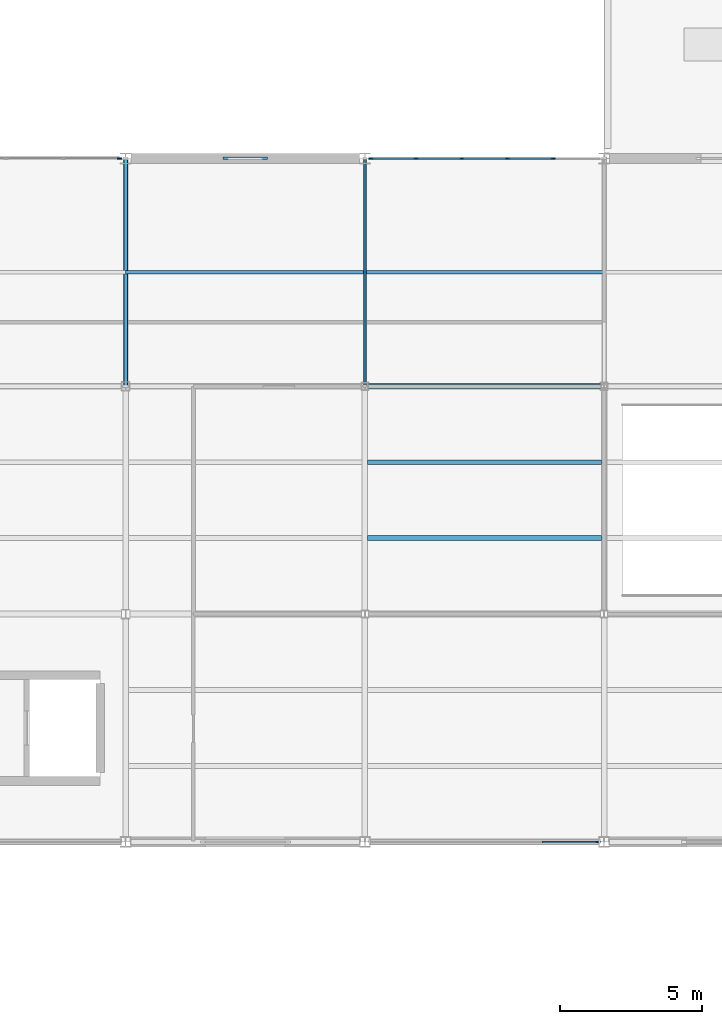
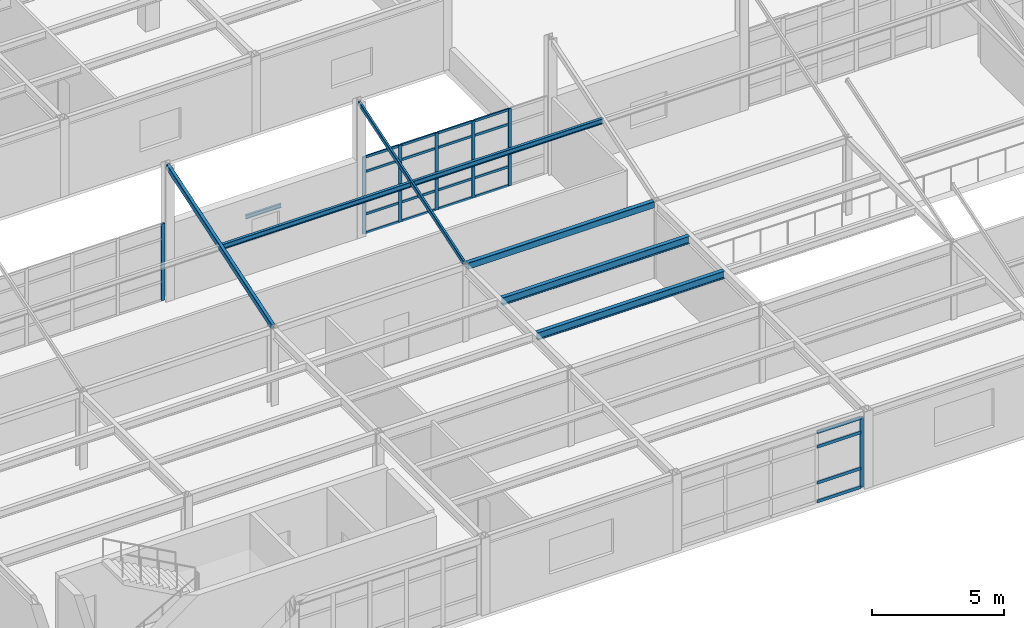
# One storey, part 13 of 96: 31 members, 4 beams, 3 elements without a shape of their own.
"""IFC4 building model written with IfcOpenShell, lengths in metres."""

from ifc_helpers import new_model, si_unit, direction, frame, origin, origin_2d, place, context, subcontext, project, spatial, rectangle, hollow_rectangle, i_section, extrude, material, layer, layer_set, material_profile, profile_set, type_object, element, aggregate, save


model = new_model("IFC4")

# Units and contexts
model_context = context("Model", 3, precision=1e-05, world=origin(), true_north=direction((0.0, 1.0)))
body_context = subcontext(model_context, "Body", "Model", "MODEL_VIEW")
ifc_project = project(units=[si_unit("LENGTHUNIT", "METRE"), si_unit("AREAUNIT", "SQUARE_METRE"), si_unit("VOLUMEUNIT", "CUBIC_METRE"), si_unit("PLANEANGLEUNIT", "RADIAN"), si_unit("MASSUNIT", "GRAM", prefix="KILO")], contexts=[model_context])

# Site, building, storey
site_placement = place(None, origin())
site = spatial("IfcSite", under=ifc_project, at=site_placement, CompositionType="ELEMENT")
building_placement = place(site_placement, origin())
building = spatial("IfcBuilding", under=site, at=building_placement, Name="Kranzveld Transit Interchange", CompositionType="ELEMENT")
storey_placement = place(building_placement, frame((0.0, 0.0, 9.52001953125)))
storey = spatial("IfcBuildingStorey", under=building, at=storey_placement, Name="L02", CompositionType="ELEMENT", Elevation=9.52001953125)

# Curtain wall, member
ifc_material_1 = material(Name="Bronze-anodised thermally broken aluminium", Category="aluminium")
ifc_layer_1 = layer(ifc_material_1, 0.159912109375)
ifc_layer_set_1 = layer_set([ifc_layer_1], Name="Bronze-anodised thermally broken aluminium")
curtain_wall_type_1 = type_object("IfcCurtainWallType", Name="Bus Boarding Glazed Screen CW-3", PredefinedType="USERDEFINED", material=ifc_layer_set_1)
curtain_wall_1_placement = place(storey_placement, origin())
curtain_wall_1 = element("IfcCurtainWall", 1, at=curtain_wall_1_placement, inside=storey, type_object=curtain_wall_type_1, Name="L02 Curtain Wall 02/F-03/F", ObjectType="CURTAIN WALL", PredefinedType="USERDEFINED")
ifc_material_2 = material(Name="Bronze-anodised thermally broken aluminium", Category="aluminium")
ifc_material_profile_1 = material_profile(ifc_material_2, rectangle(XDim=0.06005859375, YDim=0.14990234375, at=origin_2d()), Name="ALU MULLION 60x150")
ifc_profile_set_1 = profile_set([ifc_material_profile_1], Name="Bronze-anodised thermally broken aluminium")
member_type_1 = type_object("IfcMemberType", Name="Curtain Wall Mullion 60x150 Alu", PredefinedType="MULLION", material=ifc_profile_set_1)
member_1_placement = place(storey_placement, frame((16.582763671875, 40.0, 0.0), z_axis=(0.0, 0.0, 1.0), x_axis=(0.0, 1.0, 0.0)))
member_1 = element("IfcMember", 2, at=member_1_placement, type_object=member_type_1, Name="CW-3 mullion 5", PredefinedType="MULLION", context=body_context, shape_type="SweptSolid", body=[
    extrude(rectangle(XDim=0.06005859375, YDim=0.14990234375, at=origin_2d()), origin(), (0.0, 0.0, 1.0), 3.570068359375),
])
aggregate(curtain_wall_1, [member_1])

# Curtain wall, members
ifc_material_3 = material(Name="Bronze-anodised thermally broken aluminium", Category="aluminium")
ifc_layer_2 = layer(ifc_material_3, 0.14990234375)
ifc_layer_set_2 = layer_set([ifc_layer_2], Name="Bronze-anodised thermally broken aluminium")
curtain_wall_type_2 = type_object("IfcCurtainWallType", Name="Public Passage Clerestory Screen CW-4", PredefinedType="USERDEFINED", material=ifc_layer_set_2)
curtain_wall_2_placement = place(storey_placement, origin())
curtain_wall_2 = element("IfcCurtainWall", 3, at=curtain_wall_2_placement, inside=storey, type_object=curtain_wall_type_2, Name="L02 Curtain Wall 04/F-05/F", ObjectType="CURTAIN WALL", PredefinedType="USERDEFINED")
member_2_placement = place(storey_placement, frame((25.417236328125, 40.0, 0.0), z_axis=(0.0, 0.0, 1.0), x_axis=(0.0, 1.0, 0.0)))
member_2 = element("IfcMember", 4, at=member_2_placement, type_object=member_type_1, Name="CW-4 mullion 1", PredefinedType="MULLION", context=body_context, shape_type="SweptSolid", body=[
    extrude(rectangle(XDim=0.06005859375, YDim=0.14990234375, at=origin_2d()), origin(), (0.0, 0.0, 1.0), 3.570068359375),
])
member_3_placement = place(storey_placement, frame((26.992431640625, 40.0, 0.0), z_axis=(0.0, 0.0, 1.0), x_axis=(0.0, 1.0, 0.0)))
member_3 = element("IfcMember", 5, at=member_3_placement, type_object=member_type_1, Name="CW-4 mullion 2", PredefinedType="MULLION", context=body_context, shape_type="SweptSolid", body=[
    extrude(rectangle(XDim=0.06005859375, YDim=0.14990234375, at=origin_2d()), origin(), (0.0, 0.0, 1.0), 3.570068359375),
])
member_4_placement = place(storey_placement, frame((28.597412109375, 40.0, 0.0), z_axis=(0.0, 0.0, 1.0), x_axis=(0.0, 1.0, 0.0)))
member_4 = element("IfcMember", 6, at=member_4_placement, type_object=member_type_1, Name="CW-4 mullion 3", PredefinedType="MULLION", context=body_context, shape_type="SweptSolid", body=[
    extrude(rectangle(XDim=0.06005859375, YDim=0.14990234375, at=origin_2d()), origin(), (0.0, 0.0, 1.0), 3.570068359375),
])
member_5_placement = place(storey_placement, frame((30.20263671875, 40.0, 0.0), z_axis=(0.0, 0.0, 1.0), x_axis=(0.0, 1.0, 0.0)))
member_5 = element("IfcMember", 7, at=member_5_placement, type_object=member_type_1, Name="CW-4 mullion 4", PredefinedType="MULLION", context=body_context, shape_type="SweptSolid", body=[
    extrude(rectangle(XDim=0.06005859375, YDim=0.14990234375, at=origin_2d()), origin(), (0.0, 0.0, 1.0), 3.570068359375),
])
member_6_placement = place(storey_placement, frame((31.8076171875, 40.0, 0.0), z_axis=(0.0, 0.0, 1.0), x_axis=(0.0, 1.0, 0.0)))
member_6 = element("IfcMember", 8, at=member_6_placement, type_object=member_type_1, Name="CW-4 mullion 5", PredefinedType="MULLION", context=body_context, shape_type="SweptSolid", body=[
    extrude(rectangle(XDim=0.06005859375, YDim=0.14990234375, at=origin_2d()), origin(), (0.0, 0.0, 1.0), 3.570068359375),
])

# Curtain wall, member
curtain_wall_3_placement = place(storey_placement, origin())
curtain_wall_3 = element("IfcCurtainWall", 9, at=curtain_wall_3_placement, inside=storey, type_object=curtain_wall_type_1, Name="L02 Curtain Wall 04/C-05/C", ObjectType="CURTAIN WALL", PredefinedType="USERDEFINED")
member_7_placement = place(storey_placement, frame((33.3828125, 16.0, 0.0), z_axis=(0.0, 0.0, 1.0), x_axis=(0.0, 1.0, 0.0)))
member_7 = element("IfcMember", 10, at=member_7_placement, type_object=member_type_1, Name="CW-3 mullion 5", PredefinedType="MULLION", context=body_context, shape_type="SweptSolid", body=[
    extrude(rectangle(XDim=0.06005859375, YDim=0.14990234375, at=origin_2d()), origin(), (0.0, 0.0, 1.0), 3.27001953125),
])

# Member
ifc_material_4 = material(Name="Bronze-anodised thermally broken aluminium", Category="aluminium")
ifc_material_profile_2 = material_profile(ifc_material_4, rectangle(XDim=0.06005859375, YDim=0.110107421875, at=origin_2d()), Name="ALU TRANSOM 60x110")
ifc_profile_set_2 = profile_set([ifc_material_profile_2], Name="Bronze-anodised thermally broken aluminium")
member_type_2 = type_object("IfcMemberType", Name="Curtain Wall Transom 60x110 Alu", PredefinedType="USERDEFINED", material=ifc_profile_set_2)
member_8_placement = place(storey_placement, frame((25.447265625, 40.0, 0.030029296875), z_axis=(1.0, 0.0, 0.0), x_axis=(0.0, 1.0, 0.0)))
member_8 = element("IfcMember", 11, at=member_8_placement, type_object=member_type_2, Name="CW-4 transom 1.1", ObjectType="TRANSOM", PredefinedType="USERDEFINED", context=body_context, shape_type="SweptSolid", body=[
    extrude(rectangle(XDim=0.06005859375, YDim=0.110107421875, at=origin_2d()), origin(), (0.0, 0.0, 1.0), 1.51513671875),
])

member_9_placement = place(storey_placement, frame((25.447265625, 40.0, 0.89990234375), z_axis=(1.0, 0.0, 0.0), x_axis=(0.0, 1.0, 0.0)))
member_9 = element("IfcMember", 12, at=member_9_placement, type_object=member_type_2, Name="CW-4 transom 1.2", ObjectType="TRANSOM", PredefinedType="USERDEFINED", context=body_context, shape_type="SweptSolid", body=[
    extrude(rectangle(XDim=0.06005859375, YDim=0.110107421875, at=origin_2d()), origin(), (0.0, 0.0, 1.0), 1.51513671875),
])

member_10_placement = place(storey_placement, frame((25.447265625, 40.0, 2.869873046875), z_axis=(1.0, 0.0, 0.0), x_axis=(0.0, 1.0, 0.0)))
member_10 = element("IfcMember", 13, at=member_10_placement, type_object=member_type_2, Name="CW-4 transom 1.3", ObjectType="TRANSOM", PredefinedType="USERDEFINED", context=body_context, shape_type="SweptSolid", body=[
    extrude(rectangle(XDim=0.06005859375, YDim=0.110107421875, at=origin_2d()), origin(), (0.0, 0.0, 1.0), 1.51513671875),
])

member_11_placement = place(storey_placement, frame((25.447265625, 40.0, 3.5400390625), z_axis=(1.0, 0.0, 0.0), x_axis=(0.0, 1.0, 0.0)))
member_11 = element("IfcMember", 14, at=member_11_placement, type_object=member_type_2, Name="CW-4 transom 1.4", ObjectType="TRANSOM", PredefinedType="USERDEFINED", context=body_context, shape_type="SweptSolid", body=[
    extrude(rectangle(XDim=0.06005859375, YDim=0.110107421875, at=origin_2d()), origin(), (0.0, 0.0, 1.0), 1.51513671875),
])

member_12_placement = place(storey_placement, frame((27.0224609375, 40.0, 0.030029296875), z_axis=(1.0, 0.0, 0.0), x_axis=(0.0, 1.0, 0.0)))
member_12 = element("IfcMember", 15, at=member_12_placement, type_object=member_type_2, Name="CW-4 transom 2.1", ObjectType="TRANSOM", PredefinedType="USERDEFINED", context=body_context, shape_type="SweptSolid", body=[
    extrude(rectangle(XDim=0.06005859375, YDim=0.110107421875, at=origin_2d()), origin(), (0.0, 0.0, 1.0), 1.544921875),
])

member_13_placement = place(storey_placement, frame((27.0224609375, 40.0, 0.89990234375), z_axis=(1.0, 0.0, 0.0), x_axis=(0.0, 1.0, 0.0)))
member_13 = element("IfcMember", 16, at=member_13_placement, type_object=member_type_2, Name="CW-4 transom 2.2", ObjectType="TRANSOM", PredefinedType="USERDEFINED", context=body_context, shape_type="SweptSolid", body=[
    extrude(rectangle(XDim=0.06005859375, YDim=0.110107421875, at=origin_2d()), origin(), (0.0, 0.0, 1.0), 1.544921875),
])

member_14_placement = place(storey_placement, frame((27.0224609375, 40.0, 2.869873046875), z_axis=(1.0, 0.0, 0.0), x_axis=(0.0, 1.0, 0.0)))
member_14 = element("IfcMember", 17, at=member_14_placement, type_object=member_type_2, Name="CW-4 transom 2.3", ObjectType="TRANSOM", PredefinedType="USERDEFINED", context=body_context, shape_type="SweptSolid", body=[
    extrude(rectangle(XDim=0.06005859375, YDim=0.110107421875, at=origin_2d()), origin(), (0.0, 0.0, 1.0), 1.544921875),
])

member_15_placement = place(storey_placement, frame((27.0224609375, 40.0, 3.5400390625), z_axis=(1.0, 0.0, 0.0), x_axis=(0.0, 1.0, 0.0)))
member_15 = element("IfcMember", 18, at=member_15_placement, type_object=member_type_2, Name="CW-4 transom 2.4", ObjectType="TRANSOM", PredefinedType="USERDEFINED", context=body_context, shape_type="SweptSolid", body=[
    extrude(rectangle(XDim=0.06005859375, YDim=0.110107421875, at=origin_2d()), origin(), (0.0, 0.0, 1.0), 1.544921875),
])

member_16_placement = place(storey_placement, frame((28.62744140625, 40.0, 0.030029296875), z_axis=(1.0, 0.0, 0.0), x_axis=(0.0, 1.0, 0.0)))
member_16 = element("IfcMember", 19, at=member_16_placement, type_object=member_type_2, Name="CW-4 transom 3.1", ObjectType="TRANSOM", PredefinedType="USERDEFINED", context=body_context, shape_type="SweptSolid", body=[
    extrude(rectangle(XDim=0.06005859375, YDim=0.110107421875, at=origin_2d()), origin(), (0.0, 0.0, 1.0), 1.545166015625),
])

member_17_placement = place(storey_placement, frame((28.62744140625, 40.0, 0.89990234375), z_axis=(1.0, 0.0, 0.0), x_axis=(0.0, 1.0, 0.0)))
member_17 = element("IfcMember", 20, at=member_17_placement, type_object=member_type_2, Name="CW-4 transom 3.2", ObjectType="TRANSOM", PredefinedType="USERDEFINED", context=body_context, shape_type="SweptSolid", body=[
    extrude(rectangle(XDim=0.06005859375, YDim=0.110107421875, at=origin_2d()), origin(), (0.0, 0.0, 1.0), 1.545166015625),
])

member_18_placement = place(storey_placement, frame((28.62744140625, 40.0, 2.869873046875), z_axis=(1.0, 0.0, 0.0), x_axis=(0.0, 1.0, 0.0)))
member_18 = element("IfcMember", 21, at=member_18_placement, type_object=member_type_2, Name="CW-4 transom 3.3", ObjectType="TRANSOM", PredefinedType="USERDEFINED", context=body_context, shape_type="SweptSolid", body=[
    extrude(rectangle(XDim=0.06005859375, YDim=0.110107421875, at=origin_2d()), origin(), (0.0, 0.0, 1.0), 1.545166015625),
])

member_19_placement = place(storey_placement, frame((28.62744140625, 40.0, 3.5400390625), z_axis=(1.0, 0.0, 0.0), x_axis=(0.0, 1.0, 0.0)))
member_19 = element("IfcMember", 22, at=member_19_placement, type_object=member_type_2, Name="CW-4 transom 3.4", ObjectType="TRANSOM", PredefinedType="USERDEFINED", context=body_context, shape_type="SweptSolid", body=[
    extrude(rectangle(XDim=0.06005859375, YDim=0.110107421875, at=origin_2d()), origin(), (0.0, 0.0, 1.0), 1.545166015625),
])

member_20_placement = place(storey_placement, frame((30.232421875, 40.0, 0.030029296875), z_axis=(1.0, 0.0, 0.0), x_axis=(0.0, 1.0, 0.0)))
member_20 = element("IfcMember", 23, at=member_20_placement, type_object=member_type_2, Name="CW-4 transom 4.1", ObjectType="TRANSOM", PredefinedType="USERDEFINED", context=body_context, shape_type="SweptSolid", body=[
    extrude(rectangle(XDim=0.06005859375, YDim=0.110107421875, at=origin_2d()), origin(), (0.0, 0.0, 1.0), 1.545166015625),
])

member_21_placement = place(storey_placement, frame((30.232421875, 40.0, 0.89990234375), z_axis=(1.0, 0.0, 0.0), x_axis=(0.0, 1.0, 0.0)))
member_21 = element("IfcMember", 24, at=member_21_placement, type_object=member_type_2, Name="CW-4 transom 4.2", ObjectType="TRANSOM", PredefinedType="USERDEFINED", context=body_context, shape_type="SweptSolid", body=[
    extrude(rectangle(XDim=0.06005859375, YDim=0.110107421875, at=origin_2d()), origin(), (0.0, 0.0, 1.0), 1.545166015625),
])

member_22_placement = place(storey_placement, frame((30.232421875, 40.0, 2.869873046875), z_axis=(1.0, 0.0, 0.0), x_axis=(0.0, 1.0, 0.0)))
member_22 = element("IfcMember", 25, at=member_22_placement, type_object=member_type_2, Name="CW-4 transom 4.3", ObjectType="TRANSOM", PredefinedType="USERDEFINED", context=body_context, shape_type="SweptSolid", body=[
    extrude(rectangle(XDim=0.06005859375, YDim=0.110107421875, at=origin_2d()), origin(), (0.0, 0.0, 1.0), 1.545166015625),
])

member_23_placement = place(storey_placement, frame((30.232421875, 40.0, 3.5400390625), z_axis=(1.0, 0.0, 0.0), x_axis=(0.0, 1.0, 0.0)))
member_23 = element("IfcMember", 26, at=member_23_placement, type_object=member_type_2, Name="CW-4 transom 4.4", ObjectType="TRANSOM", PredefinedType="USERDEFINED", context=body_context, shape_type="SweptSolid", body=[
    extrude(rectangle(XDim=0.06005859375, YDim=0.110107421875, at=origin_2d()), origin(), (0.0, 0.0, 1.0), 1.545166015625),
])

aggregate(curtain_wall_2, [member_2, member_3, member_4, member_5, member_6, member_8, member_9, member_10, member_11, member_12, member_13, member_14, member_15, member_16, member_17, member_18, member_19, member_20, member_21, member_22, member_23])

ifc_material_5 = material(Name="Bronze-anodised thermally broken aluminium", Category="aluminium")
ifc_material_profile_3 = material_profile(ifc_material_5, rectangle(XDim=0.06494140625, YDim=0.139892578125, at=origin_2d()), Name="ALU TRANSOM 65x140")
ifc_profile_set_3 = profile_set([ifc_material_profile_3], Name="Bronze-anodised thermally broken aluminium")
member_type_3 = type_object("IfcMemberType", Name="Curtain Wall Transom 65x140 Alu", PredefinedType="USERDEFINED", material=ifc_profile_set_3)
member_24_placement = place(storey_placement, frame((31.436279296875, 16.0, 0.032470703125), z_axis=(1.0, 0.0, 0.0), x_axis=(0.0, 1.0, 0.0)))
member_24 = element("IfcMember", 27, at=member_24_placement, type_object=member_type_3, Name="CW-3 transom 4.1", ObjectType="TRANSOM", PredefinedType="USERDEFINED", context=body_context, shape_type="SweptSolid", body=[
    extrude(rectangle(XDim=0.06494140625, YDim=0.139892578125, at=origin_2d()), origin(), (0.0, 0.0, 1.0), 1.91650390625),
])

member_25_placement = place(storey_placement, frame((31.436279296875, 16.0, 0.89990234375), z_axis=(1.0, 0.0, 0.0), x_axis=(0.0, 1.0, 0.0)))
member_25 = element("IfcMember", 28, at=member_25_placement, type_object=member_type_3, Name="CW-3 transom 4.2", ObjectType="TRANSOM", PredefinedType="USERDEFINED", context=body_context, shape_type="SweptSolid", body=[
    extrude(rectangle(XDim=0.06494140625, YDim=0.139892578125, at=origin_2d()), origin(), (0.0, 0.0, 1.0), 1.91650390625),
])

member_26_placement = place(storey_placement, frame((31.436279296875, 16.0, 2.570068359375), z_axis=(1.0, 0.0, 0.0), x_axis=(0.0, 1.0, 0.0)))
member_26 = element("IfcMember", 29, at=member_26_placement, type_object=member_type_3, Name="CW-3 transom 4.3", ObjectType="TRANSOM", PredefinedType="USERDEFINED", context=body_context, shape_type="SweptSolid", body=[
    extrude(rectangle(XDim=0.06494140625, YDim=0.139892578125, at=origin_2d()), origin(), (0.0, 0.0, 1.0), 1.91650390625),
])

member_27_placement = place(storey_placement, frame((31.436279296875, 16.0, 3.237548828125), z_axis=(1.0, 0.0, 0.0), x_axis=(0.0, 1.0, 0.0)))
member_27 = element("IfcMember", 30, at=member_27_placement, type_object=member_type_3, Name="CW-3 transom 4.4", ObjectType="TRANSOM", PredefinedType="USERDEFINED", context=body_context, shape_type="SweptSolid", body=[
    extrude(rectangle(XDim=0.06494140625, YDim=0.139892578125, at=origin_2d()), origin(), (0.0, 0.0, 1.0), 1.91650390625),
])

aggregate(curtain_wall_3, [member_7, member_24, member_25, member_26, member_27])

# Beams
ifc_material_6 = material(Name="Steel S355JR", Category="steel")
ifc_material_profile_4 = material_profile(ifc_material_6, hollow_rectangle(XDim=0.199951171875, YDim=0.300048828125, WallThickness=0.010009765625, InnerFilletRadius=0.014892578125, OuterFilletRadius=0.02490234375, at=origin_2d()), Name="RHS 300x200x10")
ifc_profile_set_4 = profile_set([ifc_material_profile_4], Name="Steel S355JR")
beam_type_1 = type_object("IfcBeamType", Name="Edge Spandrel RHS 300x200x10 S355JR", PredefinedType="SPANDREL", material=ifc_profile_set_4)
beam_1_placement = place(storey_placement, frame((25.3193359375, 32.0, 3.419921875), z_axis=(1.0, 0.0, 0.0), x_axis=(0.0, 1.0, 0.0)))
element("IfcBeam", 31, at=beam_1_placement, inside=storey, type_object=beam_type_1, Name="L02 Girder 04-05/E", PredefinedType="SPANDREL", context=body_context, shape_type="SweptSolid", body=[
    extrude(hollow_rectangle(XDim=0.199951171875, YDim=0.300048828125, WallThickness=0.010009765625, InnerFilletRadius=0.014892578125, OuterFilletRadius=0.02490234375, at=origin_2d()), origin(), (0.0, 0.0, 1.0), 8.161376953125),
])
ifc_material_7 = material(Name="Steel S355JR", Category="steel")
ifc_material_profile_5 = material_profile(ifc_material_7, i_section(OverallWidth=0.171142578125, OverallDepth=0.351318359375, WebThickness=0.007080078125, FlangeThickness=0.009765625, FilletRadius=0.01025390625, at=origin_2d()), Name="UB 356x171x45")
ifc_profile_set_5 = profile_set([ifc_material_profile_5], Name="Steel S355JR")
beam_type_2 = type_object("IfcBeamType", Name="Floor Joist UB 356x171x45 S355JR", PredefinedType="JOIST", material=ifc_profile_set_5)
for number, where, z_axis, x_axis, name in (
    (32, (25.2978515625, 26.666748046875, 3.394287109375), (1.0, 0.0, 0.0), (0.0, 1.0, 0.0), "L02 Secondary Joist 04-05/D.1"),
    (33, (25.2978515625, 29.333251953125, 3.394287109375), (1.0, 0.0, 0.0), (0.0, 1.0, 0.0), "L02 Secondary Joist 04-05/D.2"),
):
    element("IfcBeam", number, at=place(storey_placement, frame(where, z_axis=z_axis, x_axis=x_axis)), inside=storey, type_object=beam_type_2, Name=name, PredefinedType="JOIST", context=body_context, shape_type="SweptSolid", body=[
        extrude(i_section(OverallWidth=0.171142578125, OverallDepth=0.351318359375, WebThickness=0.007080078125, FlangeThickness=0.009765625, FilletRadius=0.01025390625, at=origin_2d()), origin(), (0.0, 0.0, 1.0), 8.2041015625),
    ])
ifc_material_8 = material(Name="Steel S355JR", Category="steel")
ifc_material_profile_6 = material_profile(ifc_material_8, i_section(OverallWidth=0.091064453125, OverallDepth=0.179931640625, WebThickness=0.00537109375, FlangeThickness=0.008056640625, FilletRadius=0.009033203125, at=origin_2d()), Name="IPE 180")
ifc_profile_set_6 = profile_set([ifc_material_profile_6], Name="Steel S355JR")
beam_type_3 = type_object("IfcBeamType", Name="Opening Lintel IPE 180 S355JR", PredefinedType="LINTEL", material=ifc_profile_set_6)
beam_2_placement = place(storey_placement, frame((20.219970703125, 40.0, 2.594970703125), z_axis=(1.0, 0.0, 0.0), x_axis=(0.0, 1.0, 0.0)))
element("IfcBeam", 34, at=beam_2_placement, inside=storey, type_object=beam_type_3, Name="L02 Window Lintel 119", PredefinedType="LINTEL", context=body_context, shape_type="SweptSolid", body=[
    extrude(i_section(OverallWidth=0.091064453125, OverallDepth=0.179931640625, WebThickness=0.00537109375, FlangeThickness=0.008056640625, FilletRadius=0.009033203125, at=origin_2d()), origin(), (0.0, 0.0, 1.0), 1.56005859375),
])

# Members
ifc_material_9 = material(Name="Steel S355JR", Category="steel")
ifc_material_profile_7 = material_profile(ifc_material_9, i_section(OverallWidth=0.1201171875, OverallDepth=0.239990234375, WebThickness=0.006103515625, FlangeThickness=0.009765625, FilletRadius=0.014892578125, at=origin_2d()), Name="IPE 240")
ifc_profile_set_7 = profile_set([ifc_material_profile_7], Name="Steel S355JR")
member_type_4 = type_object("IfcMemberType", Name="Roof Purlin IPE 240 S355JR", PredefinedType="PURLIN", material=ifc_profile_set_7)
member_28_placement = place(storey_placement, frame((16.800048828125, 36.0, 4.820068359375), z_axis=(1.0, 0.0, 0.0), x_axis=(0.0, 1.0, 0.0)))
element("IfcMember", 35, at=member_28_placement, inside=storey, type_object=member_type_4, Name="Sawtooth Roof Purlin 03/E", PredefinedType="PURLIN", context=body_context, shape_type="SweptSolid", body=[
    extrude(i_section(OverallWidth=0.1201171875, OverallDepth=0.239990234375, WebThickness=0.006103515625, FlangeThickness=0.009765625, FilletRadius=0.014892578125, at=origin_2d()), origin(), (0.0, 0.0, 1.0), 8.39990234375),
])
member_29_placement = place(storey_placement, frame((25.199951171875, 36.0, 4.820068359375), z_axis=(1.0, 0.0, 0.0), x_axis=(0.0, 1.0, 0.0)))
element("IfcMember", 36, at=member_29_placement, inside=storey, type_object=member_type_4, Name="Sawtooth Roof Purlin 04/E", PredefinedType="PURLIN", context=body_context, shape_type="SweptSolid", body=[
    extrude(i_section(OverallWidth=0.1201171875, OverallDepth=0.239990234375, WebThickness=0.006103515625, FlangeThickness=0.009765625, FilletRadius=0.014892578125, at=origin_2d()), origin(), (0.0, 0.0, 1.0), 8.400146484375),
])
ifc_material_10 = material(Name="Steel S355JR", Category="steel")
ifc_material_profile_8 = material_profile(ifc_material_10, hollow_rectangle(XDim=0.10009765625, YDim=0.199951171875, WallThickness=0.008056640625, InnerFilletRadius=0.011962890625, OuterFilletRadius=0.02001953125, at=origin_2d()), Name="RHS 200x100x8")
ifc_profile_set_8 = profile_set([ifc_material_profile_8], Name="Steel S355JR")
member_type_5 = type_object("IfcMemberType", Name="Truss Chord RHS 200x100x8 S355JR", PredefinedType="CHORD", material=ifc_profile_set_8)
member_30_placement = place(storey_placement, frame((25.199951171875, 32.0, 3.56005859375), z_axis=(0.0, 0.951039187484, 0.309070321885), x_axis=(-1.0, 0.0, 0.0)))
element("IfcMember", 37, at=member_30_placement, inside=storey, type_object=member_type_5, Name="Sawtooth Rafter Chord 04/E", PredefinedType="CHORD", context=body_context, shape_type="SweptSolid", body=[
    extrude(hollow_rectangle(XDim=0.10009765625, YDim=0.199951171875, WallThickness=0.008056640625, InnerFilletRadius=0.011962890625, OuterFilletRadius=0.02001953125, at=origin_2d()), origin(), (0.0, 0.0, 1.0), 8.411865234375),
])
ifc_material_11 = material(Name="Steel S355JR", Category="steel")
ifc_material_profile_9 = material_profile(ifc_material_11, hollow_rectangle(XDim=0.14990234375, YDim=0.25, WallThickness=0.008056640625, InnerFilletRadius=0.011962890625, OuterFilletRadius=0.02001953125, at=origin_2d()), Name="RHS 250x150x8")
ifc_profile_set_9 = profile_set([ifc_material_profile_9], Name="Steel S355JR")
member_type_6 = type_object("IfcMemberType", Name="Truss Chord RHS 250x150x8 S355JR", PredefinedType="CHORD", material=ifc_profile_set_9)
member_31_placement = place(storey_placement, frame((16.800048828125, 32.0, 3.56005859375), z_axis=(0.0, 0.951039187484, 0.309070321885), x_axis=(-1.0, 0.0, 0.0)))
element("IfcMember", 38, at=member_31_placement, inside=storey, type_object=member_type_6, Name="Sawtooth Rafter Chord 03/E", PredefinedType="CHORD", context=body_context, shape_type="SweptSolid", body=[
    extrude(hollow_rectangle(XDim=0.14990234375, YDim=0.25, WallThickness=0.008056640625, InnerFilletRadius=0.011962890625, OuterFilletRadius=0.02001953125, at=origin_2d()), origin(), (0.0, 0.0, 1.0), 8.411865234375),
])

save(model, "model.ifc")
